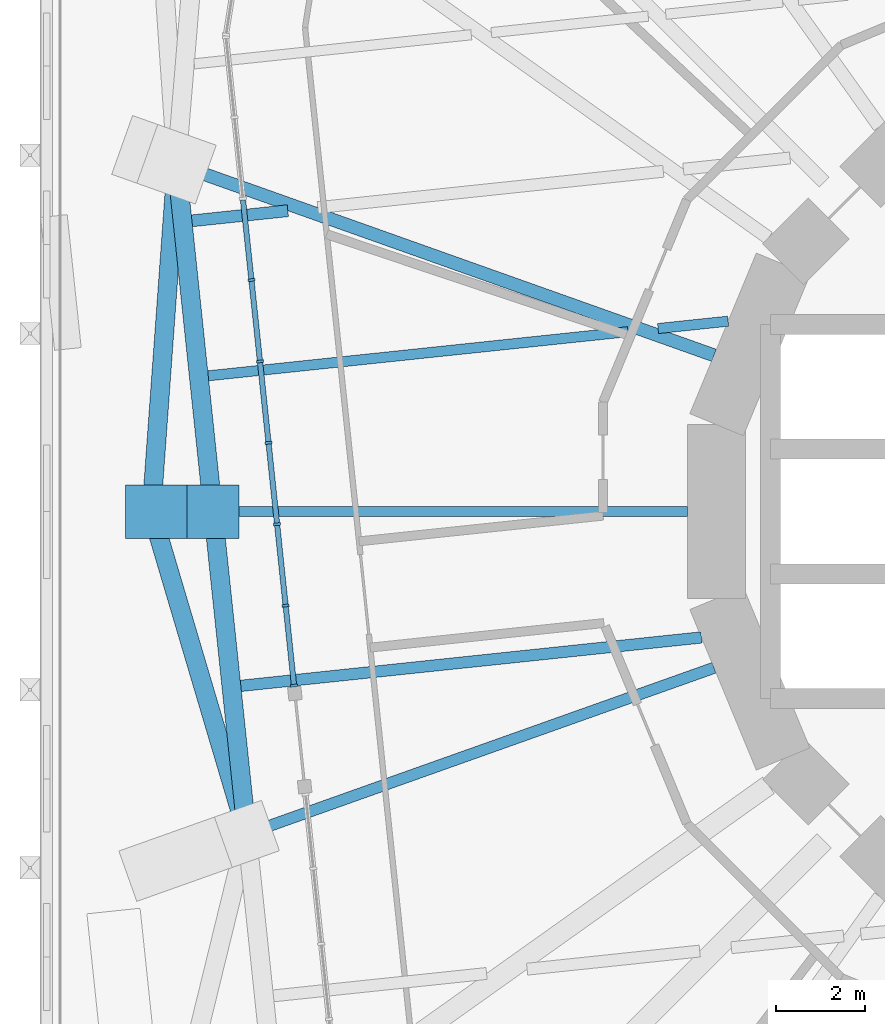
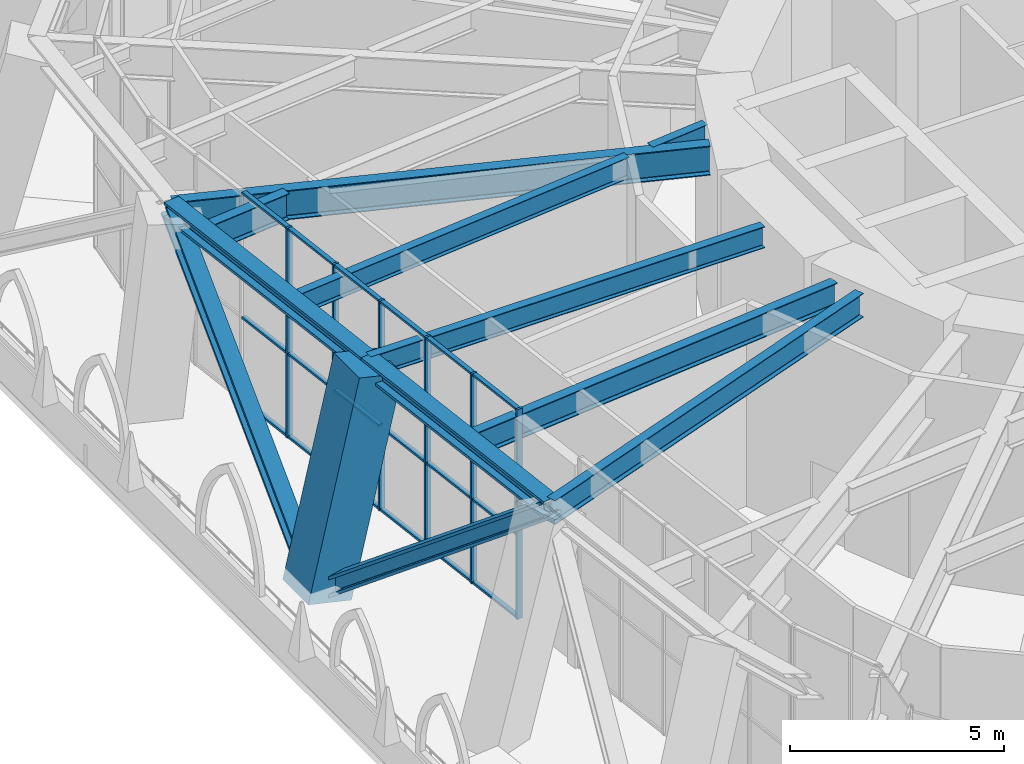
# One storey, part 4 of 20: 29 members, 7 beams, 1 element without a shape of its own.
"""IFC4 building model written with IfcOpenShell, lengths in metres."""

from ifc_helpers import new_model, si_unit, direction, frame, origin, origin_2d, place, context, subcontext, project, spatial, rectangle, i_section, extrude, material, material_profile, profile_set, type_object, element, aggregate, save


model = new_model("IFC4")

# Units and contexts
model_context = context("Model", 3, precision=1e-05, world=origin(), true_north=direction((0.0, 1.0)))
body_context = subcontext(model_context, "Body", "Model", "MODEL_VIEW")
ifc_project = project(units=[si_unit("LENGTHUNIT", "METRE"), si_unit("AREAUNIT", "SQUARE_METRE"), si_unit("VOLUMEUNIT", "CUBIC_METRE"), si_unit("PLANEANGLEUNIT", "RADIAN"), si_unit("MASSUNIT", "GRAM", prefix="KILO")], contexts=[model_context])

# Site, building, storey
site_placement = place(None, origin())
site = spatial("IfcSite", under=ifc_project, at=site_placement, CompositionType="ELEMENT")
building_placement = place(site_placement, origin())
building = spatial("IfcBuilding", under=site, at=building_placement, Name="Nakasero Lantern House", CompositionType="ELEMENT")
storey_placement = place(building_placement, frame((0.0, 0.0, 54.5)))
storey = spatial("IfcBuildingStorey", under=building, at=storey_placement, Name="L13", CompositionType="ELEMENT", Elevation=54.5)

# Members
ifc_material_1 = material(Name="Steel S355", Category="steel")
ifc_material_profile_1 = material_profile(ifc_material_1, i_section(OverallWidth=0.424072265625, OverallDepth=0.474609375, WebThickness=0.047607421875, FlangeThickness=0.076904296875, FilletRadius=0.01513671875, at=origin_2d()), Name="UC 356x406x634")
ifc_profile_set_1 = profile_set([ifc_material_profile_1], Name="Steel S355")
member_type_1 = type_object("IfcMemberType", Name="Belt truss chord UC 356x406x634", PredefinedType="CHORD", material=ifc_profile_set_1)
member_1_placement = place(storey_placement, frame((-21.935302734375, 7.79931640625, 5.562744140625), z_axis=(0.104508144098, -0.994524030789, 0.0), x_axis=(0.994524030789, 0.104508144098, 0.0)))
element("IfcMember", 1, at=member_1_placement, inside=storey, type_object=member_type_1, Name="Belt truss top chord T1 B2-C14T", PredefinedType="CHORD", context=body_context, shape_type="SweptSolid", body=[
    extrude(i_section(OverallWidth=0.424072265625, OverallDepth=0.474609375, WebThickness=0.047607421875, FlangeThickness=0.076904296875, FilletRadius=0.01513671875, at=origin_2d()), origin(), (0.0, 0.0, 1.0), 7.84228515625),
])
member_2_placement = place(storey_placement, frame((-21.11572265625, 0.0, 5.562744140625), z_axis=(0.104538087767, -0.994520883746, 0.0), x_axis=(0.994520883746, 0.104538087767, 0.0)))
element("IfcMember", 2, at=member_2_placement, inside=storey, type_object=member_type_1, Name="Belt truss top chord T1 B2-C15T", PredefinedType="CHORD", context=body_context, shape_type="SweptSolid", body=[
    extrude(i_section(OverallWidth=0.424072265625, OverallDepth=0.474609375, WebThickness=0.047607421875, FlangeThickness=0.076904296875, FilletRadius=0.01513671875, at=origin_2d()), origin(), (0.0, 0.0, 1.0), 7.277099609375),
])
ifc_material_2 = material(Name="Steel S355", Category="steel")
ifc_material_profile_2 = material_profile(ifc_material_2, i_section(OverallWidth=0.424072265625, OverallDepth=0.474609375, WebThickness=0.047607421875, FlangeThickness=0.076904296875, FilletRadius=0.01513671875, at=origin_2d()), Name="UC 356x406x634")
ifc_profile_set_2 = profile_set([ifc_material_profile_2], Name="Steel S355")
member_type_2 = type_object("IfcMemberType", Name="Belt truss diagonal UC 356x406x634", PredefinedType="BRACE", material=ifc_profile_set_2)
member_3_placement = place(storey_placement, frame((-21.935302734375, 7.79931640625, 5.562744140625), z_axis=(-0.057292564495, -0.791296266905, -0.608742786435), x_axis=(0.997389132262, -0.072214395008, 0.0)))
element("IfcMember", 3, at=member_3_placement, inside=storey, type_object=member_type_2, Name="Belt truss diagonal T1-14", PredefinedType="BRACE", context=body_context, shape_type="SweptSolid", body=[
    extrude(i_section(OverallWidth=0.424072265625, OverallDepth=0.474609375, WebThickness=0.047607421875, FlangeThickness=0.076904296875, FilletRadius=0.01513671875, at=origin_2d()), origin(), (0.0, 0.0, 1.0), 9.8564453125),
])
member_4_placement = place(storey_placement, frame((-22.5, 0.0, -0.437255859375), z_axis=(0.222452457992, -0.750555504749, 0.622238971958), x_axis=(0.958775269675, 0.284165413553, 0.0)))
element("IfcMember", 4, at=member_4_placement, inside=storey, type_object=member_type_2, Name="Belt truss diagonal T1-15", PredefinedType="BRACE", context=body_context, shape_type="SweptSolid", body=[
    extrude(i_section(OverallWidth=0.424072265625, OverallDepth=0.474609375, WebThickness=0.047607421875, FlangeThickness=0.076904296875, FilletRadius=0.01513671875, at=origin_2d()), origin(), (0.0, 0.0, 1.0), 9.642578125),
])

# Beams
ifc_material_3 = material(Name="Steel S355", Category="steel")
ifc_material_profile_3 = material_profile(ifc_material_3, i_section(OverallWidth=0.2275390625, OverallDepth=0.6025390625, WebThickness=0.010498046875, FlangeThickness=0.014892578125, FilletRadius=0.0126953125, at=origin_2d()), Name="UB 610x229x101")
ifc_profile_set_3 = profile_set([ifc_material_profile_3], Name="Steel S355")
beam_type_1 = type_object("IfcBeamType", Name="Infill beam UB 610x229x101", PredefinedType="JOIST", material=ifc_profile_set_3)
beam_1_placement = place(storey_placement, frame((-21.222900390625, 3.04833984375, 5.498779296875), z_axis=(0.994522376337, 0.104523887057, 0.0), x_axis=(-0.104523887057, 0.994522376337, 0.0)))
element("IfcBeam", 5, at=beam_1_placement, inside=storey, type_object=beam_type_1, Name="Infill beam L14 09.1", PredefinedType="JOIST", context=body_context, shape_type="SweptSolid", body=[
    extrude(i_section(OverallWidth=0.2275390625, OverallDepth=0.6025390625, WebThickness=0.010498046875, FlangeThickness=0.014892578125, FilletRadius=0.0126953125, at=origin_2d()), origin(), (0.0, 0.0, 1.0), 9.478515625),
])
beam_2_placement = place(storey_placement, frame((-11.12255859375, 4.10986328125, 5.498779296875), z_axis=(0.99451559139, 0.104588424223, 0.0), x_axis=(-0.104588424223, 0.99451559139, 0.0)))
element("IfcBeam", 6, at=beam_2_placement, inside=storey, type_object=beam_type_1, Name="Infill beam L14 09.2", PredefinedType="JOIST", context=body_context, shape_type="SweptSolid", body=[
    extrude(i_section(OverallWidth=0.2275390625, OverallDepth=0.6025390625, WebThickness=0.010498046875, FlangeThickness=0.014892578125, FilletRadius=0.0126953125, at=origin_2d()), origin(), (0.0, 0.0, 1.0), 1.582763671875),
])
ifc_material_4 = material(Name="Steel S355", Category="steel")
ifc_material_profile_4 = material_profile(ifc_material_4, i_section(OverallWidth=0.255859375, OverallDepth=0.69287109375, WebThickness=0.014404296875, FlangeThickness=0.023681640625, FilletRadius=0.01513671875, at=origin_2d()), Name="UB 686x254x170")
ifc_profile_set_4 = profile_set([ifc_material_profile_4], Name="Steel S355")
beam_type_2 = type_object("IfcBeamType", Name="Infill beam UB 686x254x170", PredefinedType="JOIST", material=ifc_profile_set_4)
beam_3_placement = place(storey_placement, frame((-20.4912109375, -3.913330078125, 5.45361328125), z_axis=(0.994523190506, 0.104516140125, 0.0), x_axis=(-0.104516140125, 0.994523190506, 0.0)))
element("IfcBeam", 7, at=beam_3_placement, inside=storey, type_object=beam_type_2, Name="Infill beam L14 07.1", PredefinedType="JOIST", context=body_context, shape_type="SweptSolid", body=[
    extrude(i_section(OverallWidth=0.255859375, OverallDepth=0.69287109375, WebThickness=0.014404296875, FlangeThickness=0.023681640625, FilletRadius=0.01513671875, at=origin_2d()), origin(), (0.0, 0.0, 1.0), 10.3994140625),
])
ifc_material_5 = material(Name="Steel S355", Category="steel")
ifc_material_profile_5 = material_profile(ifc_material_5, i_section(OverallWidth=0.2666015625, OverallDepth=0.76220703125, WebThickness=0.014404296875, FlangeThickness=0.021484375, FilletRadius=0.0166015625, at=origin_2d()), Name="UB 762x267x173")
ifc_profile_set_5 = profile_set([ifc_material_profile_5], Name="Steel S355")
beam_type_3 = type_object("IfcBeamType", Name="Infill beam UB 762x267x173", PredefinedType="JOIST", material=ifc_profile_set_5)
beam_4_placement = place(storey_placement, frame((-21.588623046875, 6.529052734375, 5.4189453125), z_axis=(0.994518424492, 0.104561481173, 0.0), x_axis=(-0.104561481173, 0.994518424492, 0.0)))
element("IfcBeam", 8, at=beam_4_placement, inside=storey, type_object=beam_type_3, Name="Infill beam L14 10.1", PredefinedType="JOIST", context=body_context, shape_type="SweptSolid", body=[
    extrude(i_section(OverallWidth=0.2666015625, OverallDepth=0.76220703125, WebThickness=0.014404296875, FlangeThickness=0.021484375, FilletRadius=0.0166015625, at=origin_2d()), origin(), (0.0, 0.0, 1.0), 2.16455078125),
])

# Curtain wall, members
ifc_material_6 = material(Name="Aluminium 6063-T6 and glass", Category="aluminium")
curtain_wall_type = type_object("IfcCurtainWallType", Name="Sky lounge glazing CW-3", PredefinedType="USERDEFINED", material=ifc_material_6)
curtain_wall_placement = place(storey_placement, origin())
curtain_wall = element("IfcCurtainWall", 9, at=curtain_wall_placement, inside=storey, type_object=curtain_wall_type, Name="Curtain wall CW-3 L13", ObjectType="STICK CURTAIN WALL", PredefinedType="USERDEFINED")
ifc_material_7 = material(Name="Aluminium 6063-T6", Category="aluminium")
ifc_material_profile_6 = material_profile(ifc_material_7, rectangle(XDim=0.06005859375, YDim=0.159912109375, at=origin_2d()), Name="CW-3 mullion 60x160")
ifc_profile_set_6 = profile_set([ifc_material_profile_6], Name="Aluminium 6063-T6")
member_type_3 = type_object("IfcMemberType", Name="Mullion CW-3", PredefinedType="MULLION", material=ifc_profile_set_6)
member_5_placement = place(storey_placement, frame((-20.25341796875, 5.198974609375, 0.0), z_axis=(0.0, 0.0, 1.0), x_axis=(0.104528463268, -0.994521895368, 0.0)))
member_5 = element("IfcMember", 10, at=member_5_placement, type_object=member_type_3, Name="CW-3 mullion 4", PredefinedType="MULLION", context=body_context, shape_type="SweptSolid", body=[
    extrude(rectangle(XDim=0.06005859375, YDim=0.159912109375, at=origin_2d()), origin(), (0.0, 0.0, 1.0), 6.0),
])
member_6_placement = place(storey_placement, frame((-20.061279296875, 3.37158203125, 0.0), z_axis=(0.0, 0.0, 1.0), x_axis=(0.104528463268, -0.994521895368, 0.0)))
member_6 = element("IfcMember", 11, at=member_6_placement, type_object=member_type_3, Name="CW-3 mullion 5", PredefinedType="MULLION", context=body_context, shape_type="SweptSolid", body=[
    extrude(rectangle(XDim=0.06005859375, YDim=0.159912109375, at=origin_2d()), origin(), (0.0, 0.0, 1.0), 6.0),
])
member_7_placement = place(storey_placement, frame((-19.869140625, 1.5439453125, 0.0), z_axis=(0.0, 0.0, 1.0), x_axis=(0.104528463268, -0.994521895368, 0.0)))
member_7 = element("IfcMember", 12, at=member_7_placement, type_object=member_type_3, Name="CW-3 mullion 6", PredefinedType="MULLION", context=body_context, shape_type="SweptSolid", body=[
    extrude(rectangle(XDim=0.06005859375, YDim=0.159912109375, at=origin_2d()), origin(), (0.0, 0.0, 1.0), 6.0),
])
member_8_placement = place(storey_placement, frame((-19.67724609375, -0.283447265625, 0.0), z_axis=(0.0, 0.0, 1.0), x_axis=(0.104528463268, -0.994521895368, 0.0)))
member_8 = element("IfcMember", 13, at=member_8_placement, type_object=member_type_3, Name="CW-3 mullion 7", PredefinedType="MULLION", context=body_context, shape_type="SweptSolid", body=[
    extrude(rectangle(XDim=0.06005859375, YDim=0.159912109375, at=origin_2d()), origin(), (0.0, 0.0, 1.0), 6.0),
])
member_9_placement = place(storey_placement, frame((-19.485107421875, -2.11083984375, 0.0), z_axis=(0.0, 0.0, 1.0), x_axis=(0.104528463268, -0.994521895368, 0.0)))
member_9 = element("IfcMember", 14, at=member_9_placement, type_object=member_type_3, Name="CW-3 mullion 8", PredefinedType="MULLION", context=body_context, shape_type="SweptSolid", body=[
    extrude(rectangle(XDim=0.06005859375, YDim=0.159912109375, at=origin_2d()), origin(), (0.0, 0.0, 1.0), 6.0),
])
member_10_placement = place(storey_placement, frame((-19.296142578125, -3.908447265625, 0.0), z_axis=(0.0, 0.0, 1.0), x_axis=(0.104528463268, -0.994521895368, 0.0)))
member_10 = element("IfcMember", 15, at=member_10_placement, type_object=member_type_3, Name="CW-3 mullion 9", PredefinedType="MULLION", context=body_context, shape_type="SweptSolid", body=[
    extrude(rectangle(XDim=0.06005859375, YDim=0.159912109375, at=origin_2d()), origin(), (0.0, 0.0, 1.0), 6.0),
])

# Beams
ifc_material_8 = material(Name="Steel S355", Category="steel")
ifc_material_profile_7 = material_profile(ifc_material_8, i_section(OverallWidth=0.22900390625, OverallDepth=0.6123046875, WebThickness=0.011962890625, FlangeThickness=0.01953125, FilletRadius=0.0126953125, at=origin_2d()), Name="UB 610x229x125")
ifc_profile_set_7 = profile_set([ifc_material_profile_7], Name="Steel S355")
beam_type_4 = type_object("IfcBeamType", Name="Primary beam UB 610x229x125, span 9 to 12 m", PredefinedType="BEAM", material=ifc_profile_set_7)
beam_5_placement = place(storey_placement, frame((-21.11572265625, 0.0, 5.493896484375), z_axis=(1.0, 0.0, 0.0), x_axis=(0.0, 1.0, 0.0)))
element("IfcBeam", 16, at=beam_5_placement, inside=storey, type_object=beam_type_4, Name="Primary beam L14 B2-C15T", PredefinedType="BEAM", context=body_context, shape_type="SweptSolid", body=[
    extrude(i_section(OverallWidth=0.22900390625, OverallDepth=0.6123046875, WebThickness=0.011962890625, FlangeThickness=0.01953125, FilletRadius=0.0126953125, at=origin_2d()), origin(), (0.0, 0.0, 1.0), 10.657958984375),
])
ifc_material_9 = material(Name="Steel S355", Category="steel")
ifc_material_profile_8 = material_profile(ifc_material_9, i_section(OverallWidth=0.253662109375, OverallDepth=0.68359375, WebThickness=0.012451171875, FlangeThickness=0.01904296875, FilletRadius=0.01513671875, at=origin_2d()), Name="UB 686x254x140")
ifc_profile_set_8 = profile_set([ifc_material_profile_8], Name="Steel S355")
beam_type_5 = type_object("IfcBeamType", Name="Primary beam UB 686x254x140, span 9 to 12 m", PredefinedType="BEAM", material=ifc_profile_set_8)
beam_6_placement = place(storey_placement, frame((-20.35498046875, -7.2373046875, 5.458251953125), z_axis=(0.942214844119, 0.335009234979, 0.0), x_axis=(-0.335009234979, 0.942214844119, 0.0)))
element("IfcBeam", 17, at=beam_6_placement, inside=storey, type_object=beam_type_5, Name="Primary beam L14 B2-C16T", PredefinedType="BEAM", context=body_context, shape_type="SweptSolid", body=[
    extrude(i_section(OverallWidth=0.253662109375, OverallDepth=0.68359375, WebThickness=0.012451171875, FlangeThickness=0.01904296875, FilletRadius=0.01513671875, at=origin_2d()), origin(), (0.0, 0.0, 1.0), 11.1318359375),
])
ifc_material_10 = material(Name="Steel S355", Category="steel")
ifc_material_profile_9 = material_profile(ifc_material_10, i_section(OverallWidth=0.29248046875, OverallDepth=0.8408203125, WebThickness=0.0146484375, FlangeThickness=0.02685546875, FilletRadius=0.017822265625, at=origin_2d()), Name="UB 838x292x194")
ifc_profile_set_9 = profile_set([ifc_material_profile_9], Name="Steel S355")
beam_type_6 = type_object("IfcBeamType", Name="Primary beam UB 838x292x194, span 12 to 15 m", PredefinedType="BEAM", material=ifc_profile_set_9)
beam_7_placement = place(storey_placement, frame((-21.935302734375, 7.79931640625, 5.379638671875), z_axis=(0.942211882636, -0.335017564047, 0.0), x_axis=(0.335017564047, 0.942211882636, 0.0)))
element("IfcBeam", 18, at=beam_7_placement, inside=storey, type_object=beam_type_6, Name="Primary beam L14 B2-C14T", PredefinedType="BEAM", context=body_context, shape_type="SweptSolid", body=[
    extrude(i_section(OverallWidth=0.29248046875, OverallDepth=0.8408203125, WebThickness=0.0146484375, FlangeThickness=0.02685546875, FilletRadius=0.017822265625, at=origin_2d()), origin(), (0.0, 0.0, 1.0), 12.80908203125),
])

# Member
ifc_material_11 = material(Name="Concrete C50/60", Category="concrete")
ifc_material_profile_10 = material_profile(ifc_material_11, rectangle(XDim=1.199951171875, YDim=1.199951171875, at=origin_2d()), Name="RC 1200x1200")
ifc_profile_set_10 = profile_set([ifc_material_profile_10], Name="Concrete C50/60")
member_type_4 = type_object("IfcMemberType", Name="Raking column RC 1200x1200 C50/60", PredefinedType="STRUT", material=ifc_profile_set_10)
member_11_placement = place(storey_placement, frame((-22.5, 0.0, -0.437255859375), z_axis=(0.224807384101, 0.0, 0.974403222518), x_axis=(0.0, 1.0, 0.0)))
element("IfcMember", 19, at=member_11_placement, inside=storey, type_object=member_type_4, Name="Raking column B2-C15T L13", PredefinedType="STRUT", context=body_context, shape_type="SweptSolid", body=[
    extrude(rectangle(XDim=1.199951171875, YDim=1.199951171875, at=origin_2d()), origin(), (0.0, 0.0, 1.0), 6.15771484375),
])

ifc_material_12 = material(Name="Aluminium 6063-T6", Category="aluminium")
ifc_material_profile_11 = material_profile(ifc_material_12, rectangle(XDim=0.06005859375, YDim=0.1201171875, at=origin_2d()), Name="CW-3 transom 60x120")
ifc_profile_set_11 = profile_set([ifc_material_profile_11], Name="Aluminium 6063-T6")
member_type_5 = type_object("IfcMemberType", Name="Transom CW-3", PredefinedType="USERDEFINED", material=ifc_profile_set_11)
member_12_placement = place(storey_placement, frame((-20.4423828125, 6.99658203125, 0.030029296875), z_axis=(0.104520344117, -0.994522748692, 0.0), x_axis=(0.0, 0.0, 1.0)))
member_12 = element("IfcMember", 20, at=member_12_placement, type_object=member_type_5, Name="CW-3 transom 3.1", ObjectType="TRANSOM", PredefinedType="USERDEFINED", context=body_context, shape_type="SweptSolid", body=[
    extrude(rectangle(XDim=0.06005859375, YDim=0.1201171875, at=origin_2d()), origin(), (0.0, 0.0, 1.0), 1.777587890625),
])

member_13_placement = place(storey_placement, frame((-20.4423828125, 6.99658203125, 2.39990234375), z_axis=(0.104520344117, -0.994522748692, 0.0), x_axis=(0.0, 0.0, 1.0)))
member_13 = element("IfcMember", 21, at=member_13_placement, type_object=member_type_5, Name="CW-3 transom 3.2", ObjectType="TRANSOM", PredefinedType="USERDEFINED", context=body_context, shape_type="SweptSolid", body=[
    extrude(rectangle(XDim=0.06005859375, YDim=0.1201171875, at=origin_2d()), origin(), (0.0, 0.0, 1.0), 1.777587890625),
])

member_14_placement = place(storey_placement, frame((-20.4423828125, 6.99658203125, 5.969970703125), z_axis=(0.104520344117, -0.994522748692, 0.0), x_axis=(0.0, 0.0, 1.0)))
member_14 = element("IfcMember", 22, at=member_14_placement, type_object=member_type_5, Name="CW-3 transom 3.3", ObjectType="TRANSOM", PredefinedType="USERDEFINED", context=body_context, shape_type="SweptSolid", body=[
    extrude(rectangle(XDim=0.06005859375, YDim=0.1201171875, at=origin_2d()), origin(), (0.0, 0.0, 1.0), 1.777587890625),
])

member_15_placement = place(storey_placement, frame((-20.250244140625, 5.169189453125, 0.030029296875), z_axis=(0.104520344117, -0.994522748692, 0.0), x_axis=(0.0, 0.0, 1.0)))
member_15 = element("IfcMember", 23, at=member_15_placement, type_object=member_type_5, Name="CW-3 transom 4.1", ObjectType="TRANSOM", PredefinedType="USERDEFINED", context=body_context, shape_type="SweptSolid", body=[
    extrude(rectangle(XDim=0.06005859375, YDim=0.1201171875, at=origin_2d()), origin(), (0.0, 0.0, 1.0), 1.777587890625),
])

member_16_placement = place(storey_placement, frame((-20.250244140625, 5.169189453125, 2.39990234375), z_axis=(0.104520344117, -0.994522748692, 0.0), x_axis=(0.0, 0.0, 1.0)))
member_16 = element("IfcMember", 24, at=member_16_placement, type_object=member_type_5, Name="CW-3 transom 4.2", ObjectType="TRANSOM", PredefinedType="USERDEFINED", context=body_context, shape_type="SweptSolid", body=[
    extrude(rectangle(XDim=0.06005859375, YDim=0.1201171875, at=origin_2d()), origin(), (0.0, 0.0, 1.0), 1.777587890625),
])

member_17_placement = place(storey_placement, frame((-20.250244140625, 5.169189453125, 5.969970703125), z_axis=(0.104520344117, -0.994522748692, 0.0), x_axis=(0.0, 0.0, 1.0)))
member_17 = element("IfcMember", 25, at=member_17_placement, type_object=member_type_5, Name="CW-3 transom 4.3", ObjectType="TRANSOM", PredefinedType="USERDEFINED", context=body_context, shape_type="SweptSolid", body=[
    extrude(rectangle(XDim=0.06005859375, YDim=0.1201171875, at=origin_2d()), origin(), (0.0, 0.0, 1.0), 1.777587890625),
])

member_18_placement = place(storey_placement, frame((-20.05810546875, 3.341552734375, 0.030029296875), z_axis=(0.104534622885, -0.994521247947, 0.0), x_axis=(0.0, 0.0, 1.0)))
member_18 = element("IfcMember", 26, at=member_18_placement, type_object=member_type_5, Name="CW-3 transom 5.1", ObjectType="TRANSOM", PredefinedType="USERDEFINED", context=body_context, shape_type="SweptSolid", body=[
    extrude(rectangle(XDim=0.06005859375, YDim=0.1201171875, at=origin_2d()), origin(), (0.0, 0.0, 1.0), 1.77734375),
])

member_19_placement = place(storey_placement, frame((-20.05810546875, 3.341552734375, 2.39990234375), z_axis=(0.104534622885, -0.994521247947, 0.0), x_axis=(0.0, 0.0, 1.0)))
member_19 = element("IfcMember", 27, at=member_19_placement, type_object=member_type_5, Name="CW-3 transom 5.2", ObjectType="TRANSOM", PredefinedType="USERDEFINED", context=body_context, shape_type="SweptSolid", body=[
    extrude(rectangle(XDim=0.06005859375, YDim=0.1201171875, at=origin_2d()), origin(), (0.0, 0.0, 1.0), 1.77734375),
])

member_20_placement = place(storey_placement, frame((-20.05810546875, 3.341552734375, 5.969970703125), z_axis=(0.104534622885, -0.994521247947, 0.0), x_axis=(0.0, 0.0, 1.0)))
member_20 = element("IfcMember", 28, at=member_20_placement, type_object=member_type_5, Name="CW-3 transom 5.3", ObjectType="TRANSOM", PredefinedType="USERDEFINED", context=body_context, shape_type="SweptSolid", body=[
    extrude(rectangle(XDim=0.06005859375, YDim=0.1201171875, at=origin_2d()), origin(), (0.0, 0.0, 1.0), 1.77734375),
])

member_21_placement = place(storey_placement, frame((-19.8662109375, 1.51416015625, 0.030029296875), z_axis=(0.104520344117, -0.994522748692, 0.0), x_axis=(0.0, 0.0, 1.0)))
member_21 = element("IfcMember", 29, at=member_21_placement, type_object=member_type_5, Name="CW-3 transom 6.1", ObjectType="TRANSOM", PredefinedType="USERDEFINED", context=body_context, shape_type="SweptSolid", body=[
    extrude(rectangle(XDim=0.06005859375, YDim=0.1201171875, at=origin_2d()), origin(), (0.0, 0.0, 1.0), 1.777587890625),
])

member_22_placement = place(storey_placement, frame((-19.8662109375, 1.51416015625, 2.39990234375), z_axis=(0.104520344117, -0.994522748692, 0.0), x_axis=(0.0, 0.0, 1.0)))
member_22 = element("IfcMember", 30, at=member_22_placement, type_object=member_type_5, Name="CW-3 transom 6.2", ObjectType="TRANSOM", PredefinedType="USERDEFINED", context=body_context, shape_type="SweptSolid", body=[
    extrude(rectangle(XDim=0.06005859375, YDim=0.1201171875, at=origin_2d()), origin(), (0.0, 0.0, 1.0), 1.777587890625),
])

member_23_placement = place(storey_placement, frame((-19.8662109375, 1.51416015625, 5.969970703125), z_axis=(0.104520344117, -0.994522748692, 0.0), x_axis=(0.0, 0.0, 1.0)))
member_23 = element("IfcMember", 31, at=member_23_placement, type_object=member_type_5, Name="CW-3 transom 6.3", ObjectType="TRANSOM", PredefinedType="USERDEFINED", context=body_context, shape_type="SweptSolid", body=[
    extrude(rectangle(XDim=0.06005859375, YDim=0.1201171875, at=origin_2d()), origin(), (0.0, 0.0, 1.0), 1.777587890625),
])

member_24_placement = place(storey_placement, frame((-19.674072265625, -0.313232421875, 0.030029296875), z_axis=(0.104520344117, -0.994522748692, 0.0), x_axis=(0.0, 0.0, 1.0)))
member_24 = element("IfcMember", 32, at=member_24_placement, type_object=member_type_5, Name="CW-3 transom 7.1", ObjectType="TRANSOM", PredefinedType="USERDEFINED", context=body_context, shape_type="SweptSolid", body=[
    extrude(rectangle(XDim=0.06005859375, YDim=0.1201171875, at=origin_2d()), origin(), (0.0, 0.0, 1.0), 1.777587890625),
])

member_25_placement = place(storey_placement, frame((-19.674072265625, -0.313232421875, 2.39990234375), z_axis=(0.104520344117, -0.994522748692, 0.0), x_axis=(0.0, 0.0, 1.0)))
member_25 = element("IfcMember", 33, at=member_25_placement, type_object=member_type_5, Name="CW-3 transom 7.2", ObjectType="TRANSOM", PredefinedType="USERDEFINED", context=body_context, shape_type="SweptSolid", body=[
    extrude(rectangle(XDim=0.06005859375, YDim=0.1201171875, at=origin_2d()), origin(), (0.0, 0.0, 1.0), 1.777587890625),
])

member_26_placement = place(storey_placement, frame((-19.674072265625, -0.313232421875, 5.969970703125), z_axis=(0.104520344117, -0.994522748692, 0.0), x_axis=(0.0, 0.0, 1.0)))
member_26 = element("IfcMember", 34, at=member_26_placement, type_object=member_type_5, Name="CW-3 transom 7.3", ObjectType="TRANSOM", PredefinedType="USERDEFINED", context=body_context, shape_type="SweptSolid", body=[
    extrude(rectangle(XDim=0.06005859375, YDim=0.1201171875, at=origin_2d()), origin(), (0.0, 0.0, 1.0), 1.777587890625),
])

member_27_placement = place(storey_placement, frame((-19.48193359375, -2.140625, 0.030029296875), z_axis=(0.104495709004, -0.994525337435, 0.0), x_axis=(0.0, 0.0, 1.0)))
member_27 = element("IfcMember", 35, at=member_27_placement, type_object=member_type_5, Name="CW-3 transom 8.1", ObjectType="TRANSOM", PredefinedType="USERDEFINED", context=body_context, shape_type="SweptSolid", body=[
    extrude(rectangle(XDim=0.06005859375, YDim=0.1201171875, at=origin_2d()), origin(), (0.0, 0.0, 1.0), 1.74755859375),
])

member_28_placement = place(storey_placement, frame((-19.48193359375, -2.140625, 2.39990234375), z_axis=(0.104495709004, -0.994525337435, 0.0), x_axis=(0.0, 0.0, 1.0)))
member_28 = element("IfcMember", 36, at=member_28_placement, type_object=member_type_5, Name="CW-3 transom 8.2", ObjectType="TRANSOM", PredefinedType="USERDEFINED", context=body_context, shape_type="SweptSolid", body=[
    extrude(rectangle(XDim=0.06005859375, YDim=0.1201171875, at=origin_2d()), origin(), (0.0, 0.0, 1.0), 1.74755859375),
])

member_29_placement = place(storey_placement, frame((-19.48193359375, -2.140625, 5.969970703125), z_axis=(0.104495709004, -0.994525337435, 0.0), x_axis=(0.0, 0.0, 1.0)))
member_29 = element("IfcMember", 37, at=member_29_placement, type_object=member_type_5, Name="CW-3 transom 8.3", ObjectType="TRANSOM", PredefinedType="USERDEFINED", context=body_context, shape_type="SweptSolid", body=[
    extrude(rectangle(XDim=0.06005859375, YDim=0.1201171875, at=origin_2d()), origin(), (0.0, 0.0, 1.0), 1.74755859375),
])

aggregate(curtain_wall, [member_5, member_6, member_7, member_8, member_9, member_10, member_12, member_13, member_14, member_15, member_16, member_17, member_18, member_19, member_20, member_21, member_22, member_23, member_24, member_25, member_26, member_27, member_28, member_29])

save(model, "model.ifc")
